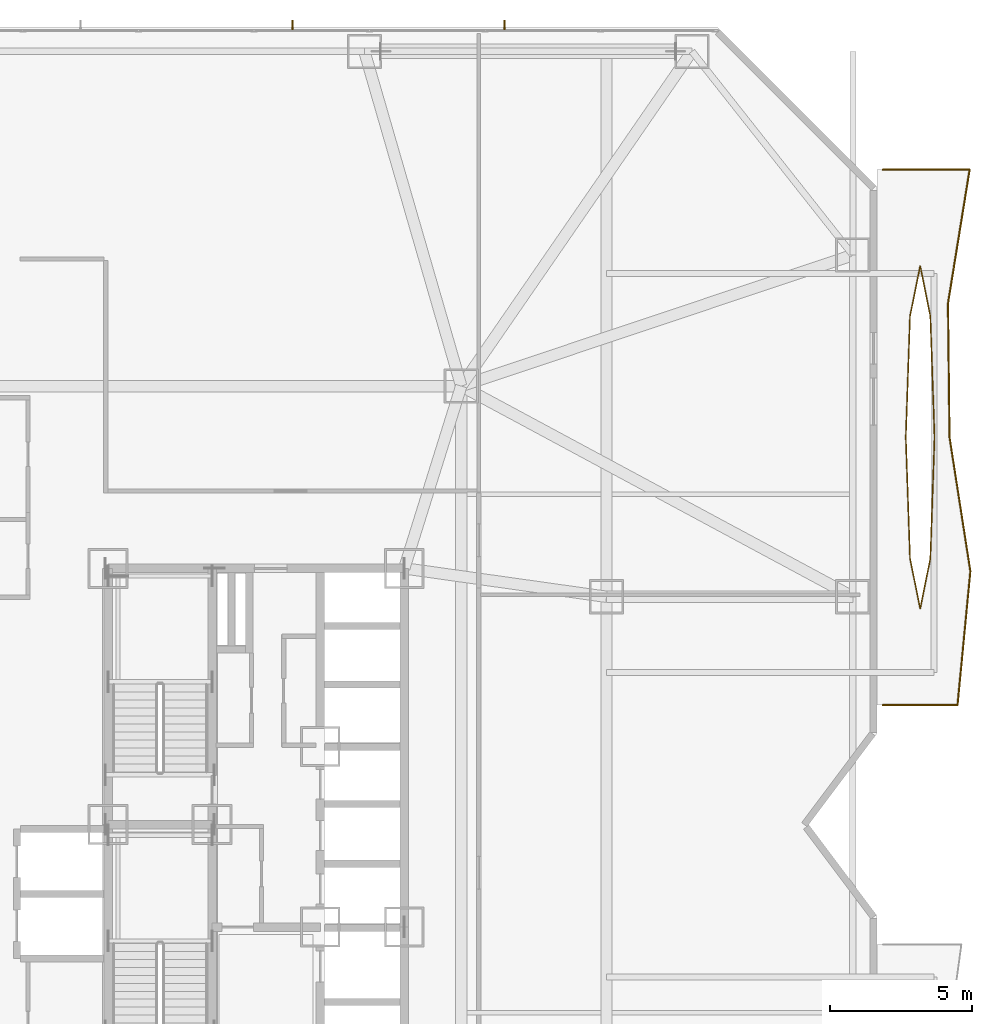
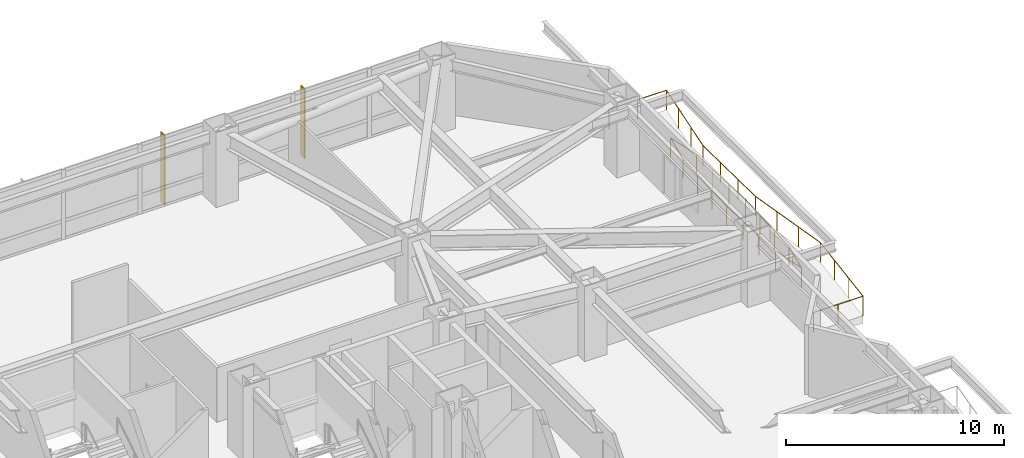
# One storey, part 24 of 24: 4 railings, 2 shading devices.
"""IFC4 building model written with IfcOpenShell, lengths in metres."""

from ifc_helpers import new_model, si_unit, direction, frame, origin, origin_2d, place, context, subcontext, project, spatial, rectangle, circle, extrude, material, type_object, element, save


model = new_model("IFC4")

# Units and contexts
model_context = context("Model", 3, precision=1e-05, world=origin(), true_north=direction((0.0, 1.0)))
body_context = subcontext(model_context, "Body", "Model", "MODEL_VIEW")
ifc_project = project(units=[si_unit("LENGTHUNIT", "METRE"), si_unit("AREAUNIT", "SQUARE_METRE"), si_unit("VOLUMEUNIT", "CUBIC_METRE"), si_unit("PLANEANGLEUNIT", "RADIAN"), si_unit("MASSUNIT", "GRAM", prefix="KILO")], contexts=[model_context])

# Site, building, storey
site_placement = place(None, origin())
site = spatial("IfcSite", under=ifc_project, at=site_placement, CompositionType="ELEMENT")
building_placement = place(site_placement, origin())
building = spatial("IfcBuilding", under=site, at=building_placement, Name="Khamvora Tower", CompositionType="ELEMENT")
storey_placement = place(building_placement, frame((0.0, 0.0, 20.39990234375)))
storey = spatial("IfcBuildingStorey", under=building, at=storey_placement, Name="L04", CompositionType="ELEMENT", Elevation=20.39990234375)

# Railings
ifc_material_1 = material(Name="Stainless Steel 316 and Laminated Glass", Category="steel")
railing_type = type_object("IfcRailingType", Name="RAL-GAL-1120", PredefinedType="GUARDRAIL", material=ifc_material_1)
railing_1_placement = place(storey_placement, frame((56.199951171875, 32.199951171875, 0.0)))
element("IfcRailing", 1, at=railing_1_placement, inside=storey, type_object=railing_type, Name="L04 lens gallery south perimeter guardrail EL2", PredefinedType="GUARDRAIL", context=body_context, shape_type="SweptSolid", body=[
    extrude(circle(Radius=0.02392578125, at=origin_2d()), frame((0.0, 0.0, 1.09619140625), z_axis=(1.0, 0.0, 0.0), x_axis=(0.0, 1.0, 0.0)), (0.0, 0.0, 1.0), 2.626953125),
    extrude(circle(Radius=0.02392578125, at=origin_2d()), frame((2.626953125, 0.0, 1.09619140625), z_axis=(0.095555747746, 0.995424080014, 0.0), x_axis=(-0.995424080014, 0.095555747746, 0.0)), (0.0, 0.0, 1.0), 4.721435546875),
    extrude(circle(Radius=0.02392578125, at=origin_2d()), frame((3.078125, 4.699951171875, 1.09619140625), z_axis=(-0.153919696536, 0.988083360359, 0.0), x_axis=(-0.988083360359, -0.153919696536, 0.0)), (0.0, 0.0, 1.0), 4.7568359375),
    extrude(circle(Radius=0.02099609375, at=origin_2d()), origin(), (0.0, 0.0, 1.0), 1.072021484375),
    extrude(circle(Radius=0.02099609375, at=origin_2d()), frame((1.3134765625, 0.0, 0.0)), (0.0, 0.0, 1.0), 1.072021484375),
    extrude(circle(Radius=0.02099609375, at=origin_2d()), frame((2.626953125, 0.0, 0.0)), (0.0, 0.0, 1.0), 1.072021484375),
    extrude(circle(Radius=0.02099609375, at=origin_2d()), frame((2.77734375, 1.566650390625, 0.0)), (0.0, 0.0, 1.0), 1.072021484375),
    extrude(circle(Radius=0.02099609375, at=origin_2d()), frame((2.927734375, 3.13330078125, 0.0)), (0.0, 0.0, 1.0), 1.072021484375),
    extrude(circle(Radius=0.02099609375, at=origin_2d()), frame((3.078125, 4.699951171875, 0.0)), (0.0, 0.0, 1.0), 1.072021484375),
    extrude(circle(Radius=0.02099609375, at=origin_2d()), frame((2.833984375, 6.2666015625, 0.0)), (0.0, 0.0, 1.0), 1.072021484375),
    extrude(circle(Radius=0.02099609375, at=origin_2d()), frame((2.590087890625, 7.83349609375, 0.0)), (0.0, 0.0, 1.0), 1.072021484375),
    extrude(circle(Radius=0.02099609375, at=origin_2d()), frame((2.345947265625, 9.400146484375, 0.0)), (0.0, 0.0, 1.0), 1.072021484375),
])
railing_2_placement = place(storey_placement, frame((58.5458984375, 41.60009765625, 0.0)))
element("IfcRailing", 2, at=railing_2_placement, inside=storey, type_object=railing_type, Name="L04 lens gallery north perimeter guardrail EL2", PredefinedType="GUARDRAIL", context=body_context, shape_type="SweptSolid", body=[
    extrude(circle(Radius=0.02392578125, at=origin_2d()), frame((0.0, 0.0, 1.09619140625), z_axis=(-0.011479166734, 0.999934112195, 0.0), x_axis=(-0.999934112195, -0.011479166734, 0.0)), (0.0, 0.0, 1.0), 4.7001953125),
    extrude(circle(Radius=0.02392578125, at=origin_2d()), frame((-0.053955078125, 4.699951171875, 1.09619140625), z_axis=(0.159832138412, 0.987144208072, 0.0), x_axis=(-0.987144208072, 0.159832138412, 0.0)), (0.0, 0.0, 1.0), 4.76123046875),
    extrude(circle(Radius=0.02392578125, at=origin_2d()), frame((0.70703125, 9.39990234375, 1.09619140625), z_axis=(-1.0, 0.0, 0.0), x_axis=(0.0, -1.0, 0.0)), (0.0, 0.0, 1.0), 3.052978515625),
    extrude(circle(Radius=0.02099609375, at=origin_2d()), origin(), (0.0, 0.0, 1.0), 1.072021484375),
    extrude(circle(Radius=0.02099609375, at=origin_2d()), frame((-0.01806640625, 1.566650390625, 0.0)), (0.0, 0.0, 1.0), 1.072021484375),
    extrude(circle(Radius=0.02099609375, at=origin_2d()), frame((-0.035888671875, 3.13330078125, 0.0)), (0.0, 0.0, 1.0), 1.072021484375),
    extrude(circle(Radius=0.02099609375, at=origin_2d()), frame((-0.053955078125, 4.699951171875, 0.0)), (0.0, 0.0, 1.0), 1.072021484375),
    extrude(circle(Radius=0.02099609375, at=origin_2d()), frame((0.19970703125, 6.2666015625, 0.0)), (0.0, 0.0, 1.0), 1.072021484375),
    extrude(circle(Radius=0.02099609375, at=origin_2d()), frame((0.453369140625, 7.833251953125, 0.0)), (0.0, 0.0, 1.0), 1.072021484375),
    extrude(circle(Radius=0.02099609375, at=origin_2d()), frame((0.70703125, 9.39990234375, 0.0)), (0.0, 0.0, 1.0), 1.072021484375),
    extrude(circle(Radius=0.02099609375, at=origin_2d()), frame((-0.8193359375, 9.39990234375, 0.0)), (0.0, 0.0, 1.0), 1.072021484375),
    extrude(circle(Radius=0.02099609375, at=origin_2d()), frame((-2.345947265625, 9.39990234375, 0.0)), (0.0, 0.0, 1.0), 1.072021484375),
])
railing_3_placement = place(storey_placement, frame((58.01904296875, 41.60009765625, 0.0)))
element("IfcRailing", 3, at=railing_3_placement, inside=storey, type_object=railing_type, Name="L04 lens gallery void guardrail EL2A", PredefinedType="GUARDRAIL", context=body_context, shape_type="SweptSolid", body=[
    extrude(circle(Radius=0.02392578125, at=origin_2d()), frame((0.0, 0.0, 1.09619140625), z_axis=(-0.034758598303, 0.999395737355, 0.0), x_axis=(-0.999395737355, -0.034758598303, 0.0)), (0.0, 0.0, 1.0), 4.256591796875),
    extrude(circle(Radius=0.02392578125, at=origin_2d()), frame((-0.14794921875, 4.25390625, 1.09619140625), z_axis=(-0.198152924969, 0.98017111686, 0.0), x_axis=(-0.98017111686, -0.198152924969, 0.0)), (0.0, 0.0, 1.0), 1.797607421875),
    extrude(circle(Radius=0.02392578125, at=origin_2d()), frame((-0.504150390625, 6.015869140625, 1.09619140625), z_axis=(-0.198022438185, -0.980197487232, 0.0), x_axis=(0.980197487232, -0.198022438185, 0.0)), (0.0, 0.0, 1.0), 1.797607421875),
    extrude(circle(Radius=0.02392578125, at=origin_2d()), frame((-0.860107421875, 4.25390625, 1.09619140625), z_axis=(-0.034758598303, -0.999395737355, 0.0), x_axis=(0.999395737355, -0.034758598303, 0.0)), (0.0, 0.0, 1.0), 4.256591796875),
    extrude(circle(Radius=0.02099609375, at=origin_2d()), origin(), (0.0, 0.0, 1.0), 1.072021484375),
    extrude(circle(Radius=0.02099609375, at=origin_2d()), frame((-0.04931640625, 1.41796875, 0.0)), (0.0, 0.0, 1.0), 1.072021484375),
    extrude(circle(Radius=0.02099609375, at=origin_2d()), frame((-0.0986328125, 2.8359375, 0.0)), (0.0, 0.0, 1.0), 1.072021484375),
    extrude(circle(Radius=0.02099609375, at=origin_2d()), frame((-0.14794921875, 4.25390625, 0.0)), (0.0, 0.0, 1.0), 1.072021484375),
    extrude(circle(Radius=0.02099609375, at=origin_2d()), frame((-0.504150390625, 6.015869140625, 0.0)), (0.0, 0.0, 1.0), 1.072021484375),
    extrude(circle(Radius=0.02099609375, at=origin_2d()), frame((-0.860107421875, 4.25390625, 0.0)), (0.0, 0.0, 1.0), 1.072021484375),
    extrude(circle(Radius=0.02099609375, at=origin_2d()), frame((-0.909423828125, 2.8359375, 0.0)), (0.0, 0.0, 1.0), 1.072021484375),
    extrude(circle(Radius=0.02099609375, at=origin_2d()), frame((-0.958740234375, 1.41796875, 0.0)), (0.0, 0.0, 1.0), 1.072021484375),
    extrude(circle(Radius=0.02099609375, at=origin_2d()), frame((-1.008056640625, 0.0, 0.0)), (0.0, 0.0, 1.0), 1.072021484375),
])
railing_4_placement = place(storey_placement, frame((57.010986328125, 41.60009765625, 0.0)))
element("IfcRailing", 4, at=railing_4_placement, inside=storey, type_object=railing_type, Name="L04 lens gallery void guardrail EL2B", PredefinedType="GUARDRAIL", context=body_context, shape_type="SweptSolid", body=[
    extrude(circle(Radius=0.02392578125, at=origin_2d()), frame((0.0, 0.0, 1.09619140625), z_axis=(0.034756605959, -0.999395806646, 0.0), x_axis=(0.999395806646, 0.034756605959, 0.0)), (0.0, 0.0, 1.0), 4.2568359375),
    extrude(circle(Radius=0.02392578125, at=origin_2d()), frame((0.14794921875, -4.254150390625, 1.09619140625), z_axis=(0.198022438185, -0.980197487232, 0.0), x_axis=(0.980197487232, 0.198022438185, 0.0)), (0.0, 0.0, 1.0), 1.797607421875),
    extrude(circle(Radius=0.02392578125, at=origin_2d()), frame((0.50390625, -6.01611328125, 1.09619140625), z_axis=(0.198152924969, 0.98017111686, 0.0), x_axis=(-0.98017111686, 0.198152924969, 0.0)), (0.0, 0.0, 1.0), 1.797607421875),
    extrude(circle(Radius=0.02392578125, at=origin_2d()), frame((0.860107421875, -4.254150390625, 1.09619140625), z_axis=(0.034756605959, 0.999395806646, 0.0), x_axis=(-0.999395806646, 0.034756605959, 0.0)), (0.0, 0.0, 1.0), 4.2568359375),
    extrude(circle(Radius=0.02099609375, at=origin_2d()), origin(), (0.0, 0.0, 1.0), 1.072021484375),
    extrude(circle(Radius=0.02099609375, at=origin_2d()), frame((0.04931640625, -1.41796875, 0.0)), (0.0, 0.0, 1.0), 1.072021484375),
    extrude(circle(Radius=0.02099609375, at=origin_2d()), frame((0.0986328125, -2.836181640625, 0.0)), (0.0, 0.0, 1.0), 1.072021484375),
    extrude(circle(Radius=0.02099609375, at=origin_2d()), frame((0.14794921875, -4.254150390625, 0.0)), (0.0, 0.0, 1.0), 1.072021484375),
    extrude(circle(Radius=0.02099609375, at=origin_2d()), frame((0.50390625, -6.01611328125, 0.0)), (0.0, 0.0, 1.0), 1.072021484375),
    extrude(circle(Radius=0.02099609375, at=origin_2d()), frame((0.860107421875, -4.254150390625, 0.0)), (0.0, 0.0, 1.0), 1.072021484375),
    extrude(circle(Radius=0.02099609375, at=origin_2d()), frame((0.909423828125, -2.836181640625, 0.0)), (0.0, 0.0, 1.0), 1.072021484375),
    extrude(circle(Radius=0.02099609375, at=origin_2d()), frame((0.958740234375, -1.41796875, 0.0)), (0.0, 0.0, 1.0), 1.072021484375),
    extrude(circle(Radius=0.02099609375, at=origin_2d()), frame((1.008056640625, 0.0, 0.0)), (0.0, 0.0, 1.0), 1.072021484375),
])

# Shading devices
ifc_material_2 = material(Name="Anodised Bronze Aluminium 6063-T6", Category="aluminium")
shading_device_type = type_object("IfcShadingDeviceType", Name="SHD-FIN-350", PredefinedType="USERDEFINED", material=ifc_material_2)
for number, where, z_axis, x_axis, name in (
    (5, (35.47607421875, 56.077880859375, 0.000244140625), (0.0, 0.0, 1.0), (1.0, 0.0, 0.0), "L04 anodised bronze solar fin 07.04"),
    (6, (42.9130859375, 56.077880859375, 0.000244140625), (0.0, 0.0, 1.0), (1.0, 0.0, 0.0), "L04 anodised bronze solar fin 07.05"),
):
    element("IfcShadingDevice", number, at=place(storey_placement, frame(where, z_axis=z_axis, x_axis=x_axis)), inside=storey, type_object=shading_device_type, Name=name, ObjectType="FIN", PredefinedType="USERDEFINED", context=body_context, shape_type="SweptSolid", body=[
        extrude(rectangle(XDim=0.054931640625, YDim=0.35009765625, at=origin_2d()), origin(), (0.0, 0.0, 1.0), 3.919921875),
    ])

save(model, "model.ifc")
